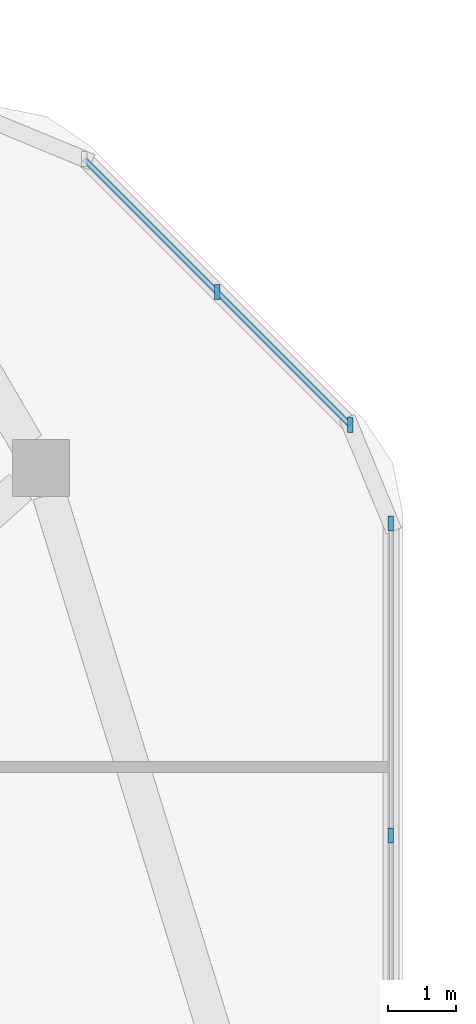
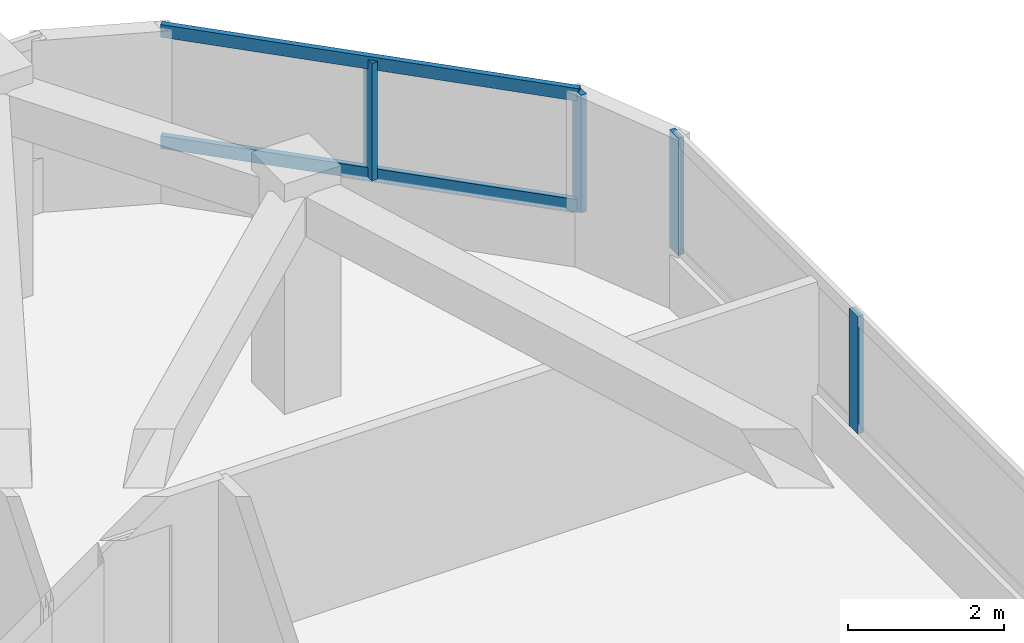
# One storey, part 7 of 14: 6 members, 2 elements without a shape of their own.
"""IFC4 building model written with IfcOpenShell, lengths in metres."""

from ifc_helpers import new_model, si_unit, derived_unit, direction, frame, origin, origin_2d, place, context, subcontext, project, spatial, rectangle, extrude, material, material_profile, profile_set, type_object, element, aggregate, save


model = new_model("IFC4")

# Units and contexts
model_context = context("Model", 3, precision=1e-05, world=origin(), true_north=direction((0.0, 1.0)))
body_context = subcontext(model_context, "Body", "Model", "MODEL_VIEW")
ifc_project = project(units=[si_unit("LENGTHUNIT", "METRE"), si_unit("AREAUNIT", "SQUARE_METRE"), si_unit("VOLUMEUNIT", "CUBIC_METRE"), si_unit("PLANEANGLEUNIT", "RADIAN"), si_unit("MASSUNIT", "GRAM", prefix="KILO"), derived_unit("THERMALTRANSMITTANCEUNIT", [(si_unit("POWERUNIT", "WATT"), 1), (si_unit("LENGTHUNIT", "METRE"), -2), (si_unit("THERMODYNAMICTEMPERATUREUNIT", "KELVIN"), -1)])], contexts=[model_context])

# Site, building, storey
site_placement = place(None, origin())
site = spatial("IfcSite", under=ifc_project, at=site_placement, CompositionType="ELEMENT")
building_placement = place(site_placement, origin())
building = spatial("IfcBuilding", under=site, at=building_placement, Name="Koralith Skygarden Medical Center", CompositionType="ELEMENT")
storey_placement = place(building_placement, frame((0.0, 0.0, 257.219970703125)))
storey = spatial("IfcBuildingStorey", under=building, at=storey_placement, Name="L66", CompositionType="ELEMENT", Elevation=257.219970703125)

# Curtain wall, members
ifc_material_1 = material(Name="Clear Laminated Glass", Category="glass")
curtain_wall_type = type_object("IfcCurtainWallType", Name="CW-6 Zone 5 Upper Clinical Curtain Wall", PredefinedType="NOTDEFINED", material=ifc_material_1)
curtain_wall_1_placement = place(storey_placement, origin())
curtain_wall_1 = element("IfcCurtainWall", 1, at=curtain_wall_1_placement, inside=storey, type_object=curtain_wall_type, Name="Curtain Wall CW-L66-E-R", PredefinedType="NOTDEFINED")
ifc_material_2 = material(Name="Aluminium 6063-T6", Category="aluminium")
ifc_material_profile_1 = material_profile(ifc_material_2, rectangle(XDim=0.0830078125, YDim=0.219970703125, at=origin_2d()), Name="MUL83X220")
ifc_profile_set_1 = profile_set([ifc_material_profile_1], Name="Aluminium 6063-T6")
member_type_1 = type_object("IfcMemberType", Name="CW-6 Extruded Mullion 83x220", PredefinedType="MULLION", material=ifc_profile_set_1)
member_1_placement = place(storey_placement, frame((61.719970703125, 36.64306640625, 0.85009765625), z_axis=(0.0, 0.0, 1.0), x_axis=(1.0, 0.0, 0.0)))
member_1 = element("IfcMember", 2, at=member_1_placement, type_object=member_type_1, Name="CW-L66-E-R Mullion 3", PredefinedType="MULLION", context=body_context, shape_type="SweptSolid", body=[
    extrude(rectangle(XDim=0.0830078125, YDim=0.219970703125, at=origin_2d()), origin(), (0.0, 0.0, 1.0), 1.83984375),
])
member_2_placement = place(storey_placement, frame((61.719970703125, 41.2451171875, 0.85009765625), z_axis=(0.0, 0.0, 1.0), x_axis=(1.0, 0.0, 0.0)))
member_2 = element("IfcMember", 3, at=member_2_placement, type_object=member_type_1, Name="CW-L66-E-R Mullion 4", PredefinedType="MULLION", context=body_context, shape_type="SweptSolid", body=[
    extrude(rectangle(XDim=0.0830078125, YDim=0.219970703125, at=origin_2d()), origin(), (0.0, 0.0, 1.0), 1.83984375),
])
aggregate(curtain_wall_1, [member_1, member_2])

curtain_wall_2_placement = place(storey_placement, origin())
curtain_wall_2 = element("IfcCurtainWall", 4, at=curtain_wall_2_placement, inside=storey, type_object=curtain_wall_type, Name="Curtain Wall CW-L66-NE", PredefinedType="NOTDEFINED")
member_3_placement = place(storey_placement, frame((61.118896484375, 42.696044921875, 0.85009765625), z_axis=(0.0, 0.0, 1.0), x_axis=(1.0, 0.0, 0.0)))
member_3 = element("IfcMember", 5, at=member_3_placement, type_object=member_type_1, Name="CW-L66-NE Mullion 1", PredefinedType="MULLION", context=body_context, shape_type="SweptSolid", body=[
    extrude(rectangle(XDim=0.0830078125, YDim=0.219970703125, at=origin_2d()), origin(), (0.0, 0.0, 1.0), 1.83984375),
])
member_4_placement = place(storey_placement, frame((59.156982421875, 44.656982421875, 0.85009765625), z_axis=(0.0, 0.0, 1.0), x_axis=(1.0, 0.0, 0.0)))
member_4 = element("IfcMember", 6, at=member_4_placement, type_object=member_type_1, Name="CW-L66-NE Mullion 2", PredefinedType="MULLION", context=body_context, shape_type="SweptSolid", body=[
    extrude(rectangle(XDim=0.0830078125, YDim=0.219970703125, at=origin_2d()), origin(), (0.0, 0.0, 1.0), 1.83984375),
])
ifc_material_profile_2 = material_profile(ifc_material_2, rectangle(XDim=0.077880859375, YDim=0.197998046875, at=origin_2d()), Name="TRN78X198")
ifc_profile_set_2 = profile_set([ifc_material_profile_2], Name="Aluminium 6063-T6")
member_type_2 = type_object("IfcMemberType", Name="CW-6 Thermal Transom 78x198", PredefinedType="USERDEFINED", material=ifc_profile_set_2)
member_5_placement = place(storey_placement, frame((61.118896484375, 42.696044921875, 0.900146484375), z_axis=(-0.707106781187, 0.707106781187, 0.0), x_axis=(-0.707106781187, -0.707106781187, 0.0)))
member_5 = element("IfcMember", 7, at=member_5_placement, type_object=member_type_2, Name="CW-L66-NE Transom 1", ObjectType="TRANSOM", PredefinedType="USERDEFINED", context=body_context, shape_type="SweptSolid", body=[
    extrude(rectangle(XDim=0.077880859375, YDim=0.197998046875, at=origin_2d()), origin(), (0.0, 0.0, 1.0), 5.5478515625),
])
member_6_placement = place(storey_placement, frame((61.118896484375, 42.696044921875, 2.64013671875), z_axis=(-0.707106781187, 0.707106781187, 0.0), x_axis=(-0.707106781187, -0.707106781187, 0.0)))
member_6 = element("IfcMember", 8, at=member_6_placement, type_object=member_type_2, Name="CW-L66-NE Transom 2", ObjectType="TRANSOM", PredefinedType="USERDEFINED", context=body_context, shape_type="SweptSolid", body=[
    extrude(rectangle(XDim=0.077880859375, YDim=0.197998046875, at=origin_2d()), origin(), (0.0, 0.0, 1.0), 5.5478515625),
])
aggregate(curtain_wall_2, [member_3, member_4, member_5, member_6])

save(model, "model.ifc")
